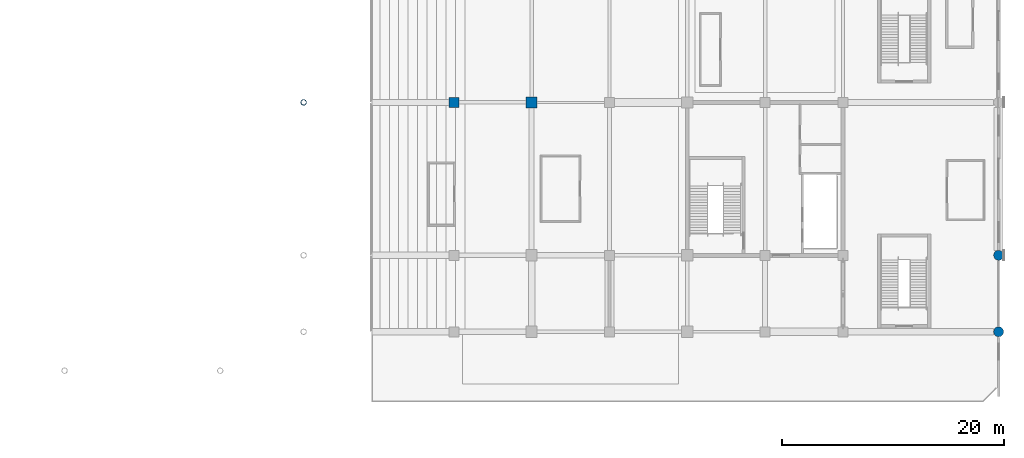
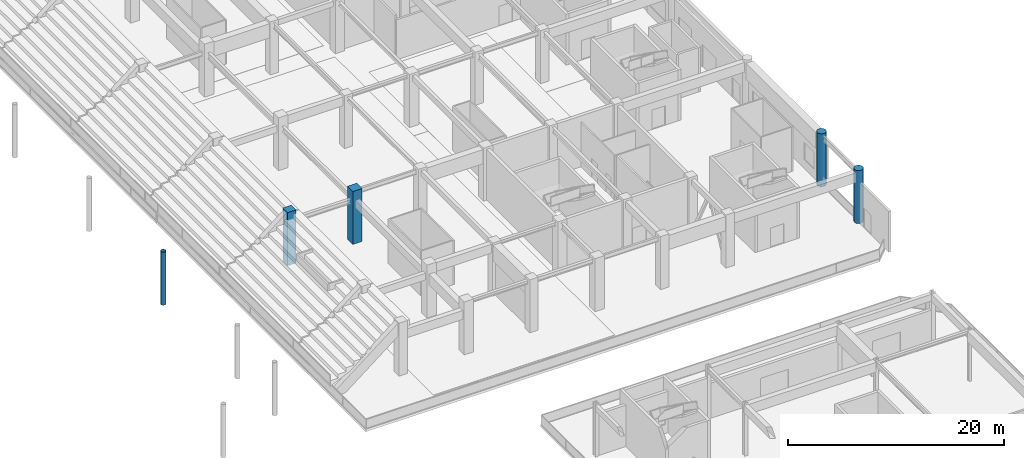
# One storey, part 12 of 73: 5 columns.
"""IFC4 building model written with IfcOpenShell, lengths in metres."""

from ifc_helpers import new_model, si_unit, direction, frame, origin, origin_2d, place, context, subcontext, project, spatial, rectangle, circle, hollow_circle, extrude, material, material_profile, profile_set, type_object, element, save


model = new_model("IFC4")

# Units and contexts
model_context = context("Model", 3, precision=1e-05, world=origin(), true_north=direction((0.0, 1.0)))
body_context = subcontext(model_context, "Body", "Model", "MODEL_VIEW")
ifc_project = project(units=[si_unit("LENGTHUNIT", "METRE"), si_unit("AREAUNIT", "SQUARE_METRE"), si_unit("VOLUMEUNIT", "CUBIC_METRE"), si_unit("PLANEANGLEUNIT", "RADIAN"), si_unit("MASSUNIT", "GRAM", prefix="KILO")], contexts=[model_context])

# Site, building, storey
site_placement = place(None, origin())
site = spatial("IfcSite", under=ifc_project, at=site_placement, CompositionType="ELEMENT")
building_placement = place(site_placement, origin())
building = spatial("IfcBuilding", under=site, at=building_placement, Name="Linyun Crest Stadium", CompositionType="ELEMENT")
storey_placement = place(building_placement, origin())
storey = spatial("IfcBuildingStorey", under=building, at=storey_placement, Name="L01", CompositionType="ELEMENT", Elevation=0.0)

# Columns
ifc_material_1 = material(Name="Concrete C50", Category="concrete")
ifc_material_profile_1 = material_profile(ifc_material_1, rectangle(XDim=0.89990234375, YDim=0.89990234375, at=origin_2d()), Name="RC 900x900")
ifc_profile_set_1 = profile_set([ifc_material_profile_1], Name="Concrete C50")
column_type_1 = type_object("IfcColumnType", Name="C04", PredefinedType="COLUMN", material=ifc_profile_set_1)
column_1_placement = place(storey_placement, frame((49.0, -25.375, 0.0), z_axis=(0.0, 0.0, 1.0), x_axis=(1.0, 0.0, 0.0)))
element("IfcColumn", 1, at=column_1_placement, inside=storey, type_object=column_type_1, Name="Column C04 L01 310", PredefinedType="COLUMN", context=body_context, shape_type="SweptSolid", body=[
    extrude(rectangle(XDim=0.89990234375, YDim=0.89990234375, at=origin_2d()), origin(), (0.0, 0.0, 1.0), 6.0),
])
ifc_material_2 = material(Name="Concrete C50", Category="concrete")
ifc_material_profile_2 = material_profile(ifc_material_2, rectangle(XDim=1.0, YDim=1.0, at=origin_2d()), Name="RC 1000x1000")
ifc_profile_set_2 = profile_set([ifc_material_profile_2], Name="Concrete C50")
column_type_2 = type_object("IfcColumnType", Name="C05", PredefinedType="COLUMN", material=ifc_profile_set_2)
column_2_placement = place(storey_placement, frame((56.0, -25.375, 0.0), z_axis=(0.0, 0.0, 1.0), x_axis=(1.0, 0.0, 0.0)))
element("IfcColumn", 2, at=column_2_placement, inside=storey, type_object=column_type_2, Name="Column C05 L01 330", PredefinedType="COLUMN", context=body_context, shape_type="SweptSolid", body=[
    extrude(rectangle(XDim=1.0, YDim=1.0, at=origin_2d()), origin(), (0.0, 0.0, 1.0), 5.998046875),
])
ifc_material_3 = material(Name="Concrete C50", Category="concrete")
ifc_material_profile_3 = material_profile(ifc_material_3, circle(Radius=0.449951171875, at=origin_2d()), Name="RC D900")
ifc_profile_set_3 = profile_set([ifc_material_profile_3], Name="Concrete C50")
column_type_3 = type_object("IfcColumnType", Name="C08", PredefinedType="COLUMN", material=ifc_profile_set_3)
for number, where, z_axis, x_axis, name in (
    (3, (98.0, -46.0, 0.0), (0.0, 0.0, 1.0), (1.0, 0.0, 0.0), "Column C08 L01 530"),
    (4, (98.0, -39.125, 0.0), (0.0, 0.0, 1.0), (1.0, 0.0, 0.0), "Column C08 L01 535"),
):
    element("IfcColumn", number, at=place(storey_placement, frame(where, z_axis=z_axis, x_axis=x_axis)), inside=storey, type_object=column_type_3, Name=name, PredefinedType="COLUMN", context=body_context, shape_type="SweptSolid", body=[
        extrude(circle(Radius=0.449951171875, at=origin_2d()), origin(), (0.0, 0.0, 1.0), 5.998046875),
    ])
ifc_material_4 = material(Name="Steel Q355C", Category="steel")
ifc_material_profile_4 = material_profile(ifc_material_4, hollow_circle(Radius=0.25390625, WallThickness=0.02490234375, at=origin_2d()), Name="CHS 508x25")
ifc_profile_set_4 = profile_set([ifc_material_profile_4], Name="Steel Q355C")
column_type_4 = type_object("IfcColumnType", Name="SC05", PredefinedType="COLUMN", material=ifc_profile_set_4)
column_3_placement = place(storey_placement, frame((35.5, -25.375, 0.0), z_axis=(0.0, 0.0, 1.0), x_axis=(1.0, 0.0, 0.0)))
element("IfcColumn", 5, at=column_3_placement, inside=storey, type_object=column_type_4, Name="Arch colonnade column SC05 L01 22", PredefinedType="COLUMN", context=body_context, shape_type="SweptSolid", body=[
    extrude(hollow_circle(Radius=0.25390625, WallThickness=0.02490234375, at=origin_2d()), origin(), (0.0, 0.0, 1.0), 6.0),
])

save(model, "model.ifc")
